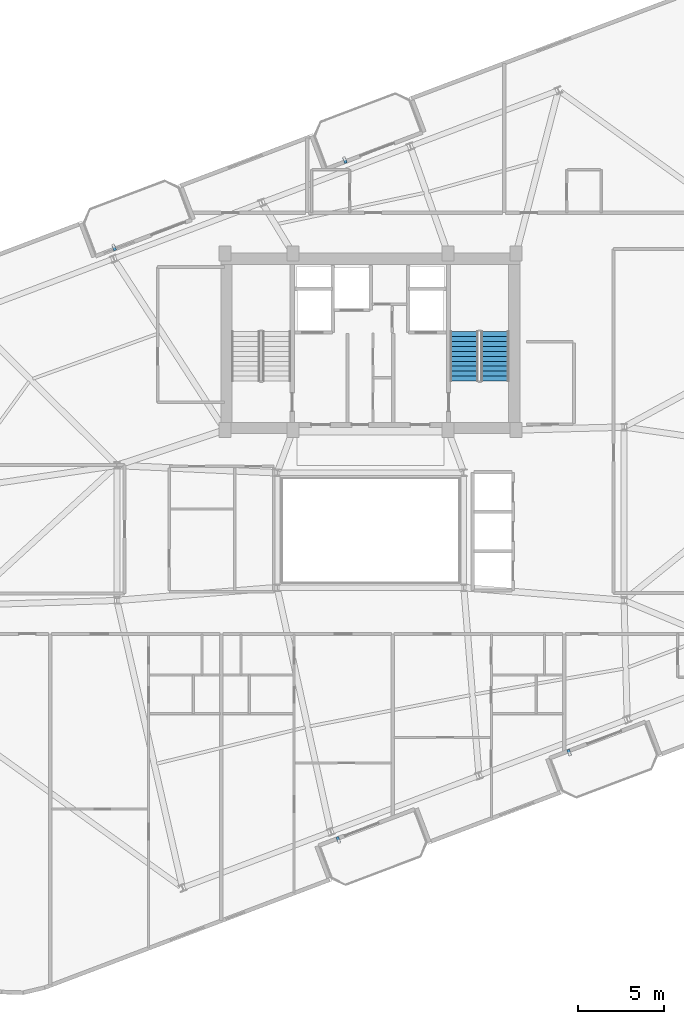
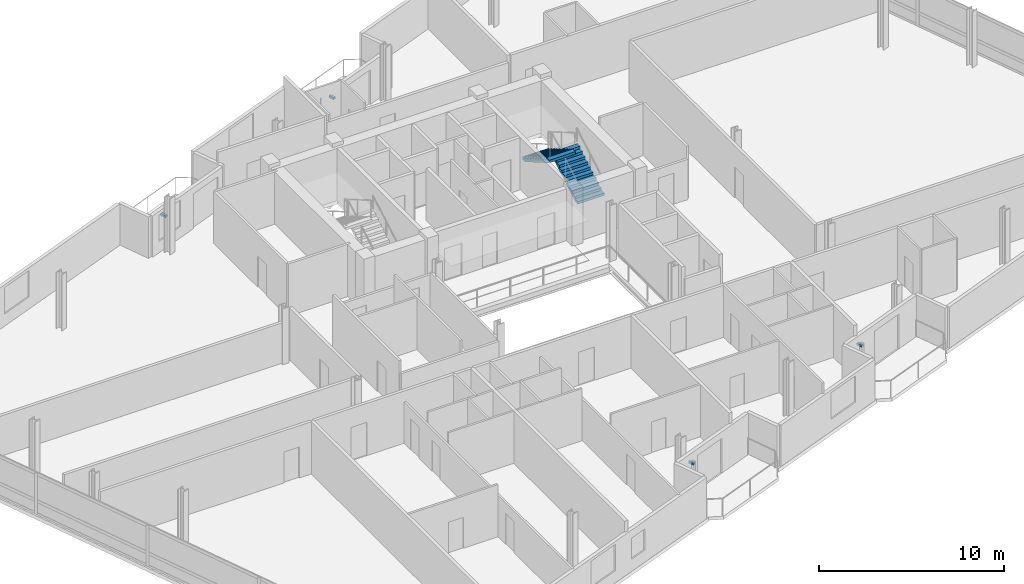
# One storey, part 18 of 20: 4 discrete accessories, 2 stair flights, 1 element without a shape of its own.
"""IFC4 building model written with IfcOpenShell, lengths in metres."""

from ifc_helpers import new_model, si_unit, direction, frame, origin, origin_2d, place, context, subcontext, project, spatial, polyline, rectangle, outline, extrude, source, transform, mapped, material, type_object, element, aggregate, save


model = new_model("IFC4")

# Units and contexts
model_context = context("Model", 3, precision=1e-05, world=origin(), true_north=direction((0.0, 1.0)))
body_context = subcontext(model_context, "Body", "Model", "MODEL_VIEW")
ifc_project = project(units=[si_unit("LENGTHUNIT", "METRE"), si_unit("AREAUNIT", "SQUARE_METRE"), si_unit("VOLUMEUNIT", "CUBIC_METRE"), si_unit("PLANEANGLEUNIT", "RADIAN"), si_unit("MASSUNIT", "GRAM", prefix="KILO")], contexts=[model_context])

# Site, building, storey
site_placement = place(None, origin())
site = spatial("IfcSite", under=ifc_project, at=site_placement, CompositionType="ELEMENT")
building_placement = place(site_placement, origin())
building = spatial("IfcBuilding", under=site, at=building_placement, Name="Varnelok Gate Tower", CompositionType="ELEMENT")
storey_placement = place(building_placement, frame((0.0, 0.0, 216.39990234375)))
storey = spatial("IfcBuildingStorey", under=building, at=storey_placement, Name="L55", CompositionType="ELEMENT", Elevation=216.39990234375)

# Stair, stair flights
ifc_material_1 = material(Name="Concrete C50/60", Category="concrete")
stair_type = type_object("IfcStairType", Name="STR-CORE-1650", PredefinedType="HALF_TURN_STAIR", material=ifc_material_1)
stair_placement = place(storey_placement, origin())
stair = element("IfcStair", 1, at=stair_placement, inside=storey, type_object=stair_type, Name="L55 Exit Stair ST-2", PredefinedType="HALF_TURN_STAIR")
stair_flight_type = type_object("IfcStairFlightType", Name="SFL-CORE-1650", PredefinedType="STRAIGHT", material=ifc_material_1)
stair_flight_1_placement = place(storey_placement, frame((46.47509765625, 31.60009765625, 0.0), z_axis=(0.0, 0.0, 1.0), x_axis=(0.0, 1.0, 0.0)))
stair_flight_1 = element("IfcStairFlight", 2, at=stair_flight_1_placement, type_object=stair_flight_type, Name="ST-2 flight 1", NumberOfRisers=11, NumberOfTreads=10, PredefinedType="STRAIGHT", RiserHeight=0.168181818, TreadLength=0.29, context=body_context, shape_type="SweptSolid", body=[
    extrude(outline(polyline([(0.0, 0.0), (0.0, 0.168212890625), (0.2900390625, 0.168212890625), (0.2900390625, 0.33642578125), (0.580078125, 0.33642578125), (0.580078125, 0.504638671875), (0.8701171875, 0.504638671875), (0.8701171875, 0.672607421875), (1.159912109375, 0.672607421875), (1.159912109375, 0.8408203125), (1.449951171875, 0.8408203125), (1.449951171875, 1.009033203125), (1.739990234375, 1.009033203125), (1.739990234375, 1.17724609375), (2.030029296875, 1.17724609375), (2.030029296875, 1.345458984375), (2.320068359375, 1.345458984375), (2.320068359375, 1.513671875), (2.610107421875, 1.513671875), (2.610107421875, 1.681884765625), (2.89990234375, 1.681884765625), (2.89990234375, 1.85009765625), (2.89990234375, 1.508544921875), (0.298828125, 0.0), (0.0, 0.0)])), frame((0.0, 0.824951171875, 0.0), z_axis=(0.0, -1.0, 0.0), x_axis=(1.0, 0.0, 0.0)), (0.0, 0.0, 1.0), 1.64990234375),
])
stair_flight_2_placement = place(storey_placement, frame((44.675048828125, 34.5, 1.85009765625), z_axis=(0.0, 0.0, 1.0), x_axis=(0.0, -1.0, 0.0)))
stair_flight_2 = element("IfcStairFlight", 3, at=stair_flight_2_placement, type_object=stair_flight_type, Name="ST-2 flight 2", NumberOfRisers=11, NumberOfTreads=10, PredefinedType="STRAIGHT", RiserHeight=0.168181818, TreadLength=0.29, context=body_context, shape_type="SweptSolid", body=[
    extrude(outline(polyline([(0.0, 0.0), (0.0, 0.168212890625), (0.2900390625, 0.168212890625), (0.2900390625, 0.33642578125), (0.580078125, 0.33642578125), (0.580078125, 0.504638671875), (0.8701171875, 0.504638671875), (0.8701171875, 0.672607421875), (1.159912109375, 0.672607421875), (1.159912109375, 0.8408203125), (1.449951171875, 0.8408203125), (1.449951171875, 1.009033203125), (1.739990234375, 1.009033203125), (1.739990234375, 1.17724609375), (2.030029296875, 1.17724609375), (2.030029296875, 1.345458984375), (2.320068359375, 1.345458984375), (2.320068359375, 1.513671875), (2.610107421875, 1.513671875), (2.610107421875, 1.681884765625), (2.89990234375, 1.681884765625), (2.89990234375, 1.85009765625), (2.89990234375, 1.508544921875), (0.298828125, 0.0), (0.0, 0.0)])), frame((0.0, 0.824951171875, 0.0), z_axis=(0.0, -1.0, 0.0), x_axis=(1.0, 0.0, 0.0)), (0.0, 0.0, 1.0), 1.64990234375),
])
aggregate(stair, [stair_flight_1, stair_flight_2])

# Discrete accessories
ifc_material_2 = material(Name="Structural Steel ASTM A500 Grade C", Category="steel")
discrete_accessory_type = type_object("IfcDiscreteAccessoryType", Name="ACC-BAGUETTE-BRK", PredefinedType="BRACKET", material=ifc_material_2)
shared_shape = source(origin(), body_context, "Body", "SweptSolid", [
    extrude(rectangle(XDim=0.159912109375, YDim=0.340087890625, at=origin_2d()), origin(), (0.0, 0.0, 1.0), 0.139892578125),
])
for number, where, z_axis, x_axis, name in (
    (4, (37.322509765625, 4.83984375, 1.97998046875), (0.0, 0.0, 1.0), (0.935221751401, 0.354062530786, 0.0), "L55 Terracotta Baguette Bracket 1.1"),
    (5, (50.789794921875, 9.9384765625, 1.97998046875), (0.0, 0.0, 1.0), (0.935221751401, 0.354062530786, 0.0), "L55 Terracotta Baguette Bracket 2.1"),
    (6, (24.243408203125, 39.386962890625, 1.97998046875), (0.0, 0.0, 1.0), (0.935221751401, 0.354062530786, 0.0), "L55 Terracotta Baguette Bracket 3.1"),
    (7, (37.710693359375, 44.485595703125, 1.97998046875), (0.0, 0.0, 1.0), (0.935221751401, 0.354062530786, 0.0), "L55 Terracotta Baguette Bracket 4.1"),
):
    element("IfcDiscreteAccessory", number, at=place(storey_placement, frame(where, z_axis=z_axis, x_axis=x_axis)), inside=storey, type_object=discrete_accessory_type, Name=name, PredefinedType="BRACKET", context=body_context, shape_type="MappedRepresentation", body=[
        mapped(shared_shape, transform((0.0, 0.0, 0.0), scale=1.0)),
    ])

save(model, "model.ifc")
